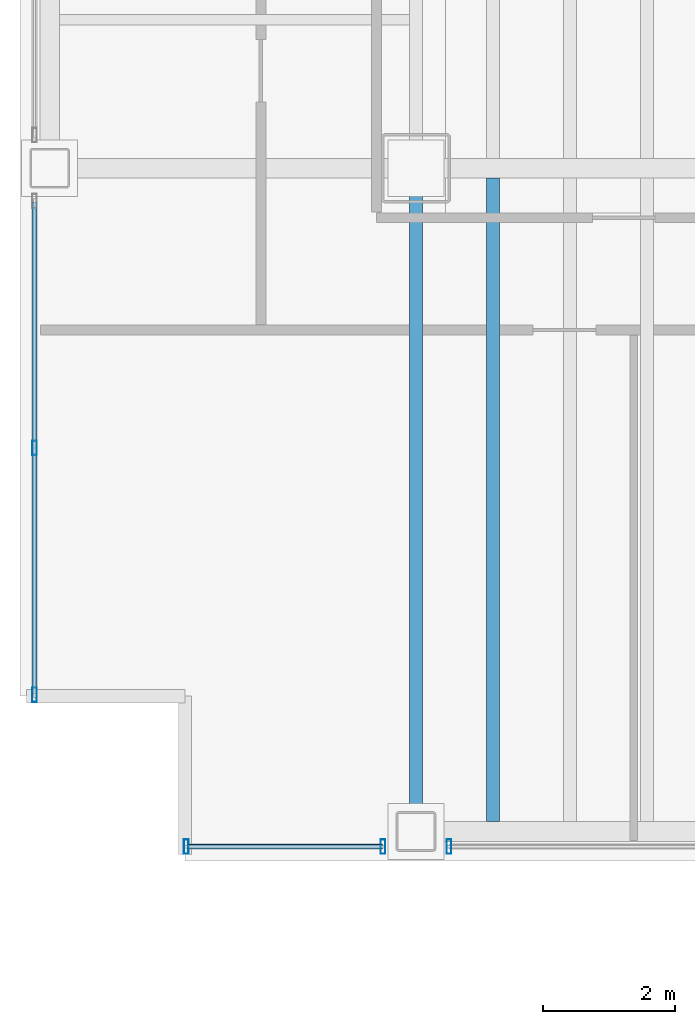
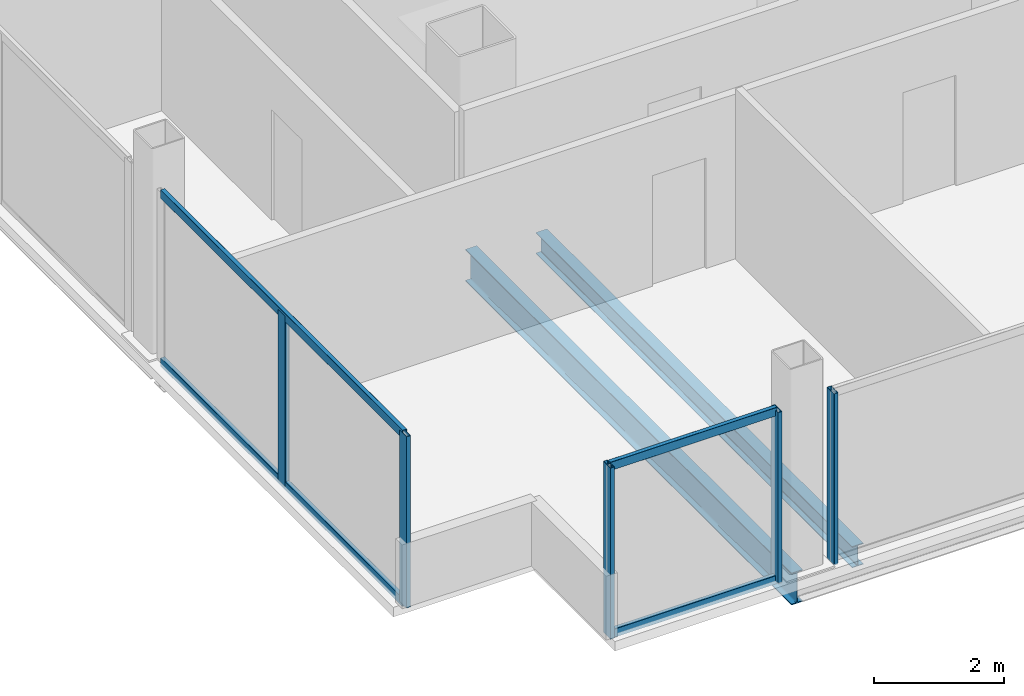
# One storey, part 2 of 22: 9 members, 2 beams, 3 elements without a shape of their own.
"""IFC4 building model written with IfcOpenShell, lengths in metres."""

from ifc_helpers import new_model, si_unit, direction, frame, origin, origin_2d, place, context, subcontext, project, spatial, hollow_rectangle, i_section, extrude, material, material_profile, profile_set, type_object, element, aggregate, save


model = new_model("IFC4")

# Units and contexts
model_context = context("Model", 3, precision=1e-05, world=origin(), true_north=direction((0.0, 1.0)))
body_context = subcontext(model_context, "Body", "Model", "MODEL_VIEW")
ifc_project = project(units=[si_unit("LENGTHUNIT", "METRE"), si_unit("AREAUNIT", "SQUARE_METRE"), si_unit("VOLUMEUNIT", "CUBIC_METRE"), si_unit("PLANEANGLEUNIT", "RADIAN"), si_unit("MASSUNIT", "GRAM", prefix="KILO")], contexts=[model_context])

# Site, building, storey
site_placement = place(None, origin())
site = spatial("IfcSite", under=ifc_project, at=site_placement, CompositionType="ELEMENT")
building_placement = place(site_placement, origin())
building = spatial("IfcBuilding", under=site, at=building_placement, Name="Noeulbin Bourse Tower", CompositionType="ELEMENT")
storey_placement = place(building_placement, frame((0.0, 0.0, 85.0)))
storey = spatial("IfcBuildingStorey", under=building, at=storey_placement, Name="L21", CompositionType="ELEMENT", Elevation=85.0)

# Beams
ifc_material_1 = material(Name="Steel S355", Category="steel")
ifc_material_profile_1 = material_profile(ifc_material_1, i_section(OverallWidth=0.199951171875, OverallDepth=0.60009765625, WebThickness=0.010986328125, FlangeThickness=0.01708984375, FilletRadius=0.02197265625, at=origin_2d()), Name="H-600x200x11x17", Category="LoadBearing")
ifc_profile_set_1 = profile_set([ifc_material_profile_1], Name="Steel S355")
beam_type_1 = type_object("IfcBeamType", Name="BM-GRD-600", PredefinedType="USERDEFINED", material=ifc_profile_set_1)
beam_1_placement = place(storey_placement, frame((13.5, 9.949951171875, -0.47998046875), z_axis=(0.0, 1.0, 0.0), x_axis=(-1.0, 0.0, 0.0)))
element("IfcBeam", 1, at=beam_1_placement, inside=storey, type_object=beam_type_1, Name="Tower Primary Girder NS L21-1.1", ObjectType="GIRDER", PredefinedType="USERDEFINED", context=body_context, shape_type="SweptSolid", body=[
    extrude(i_section(OverallWidth=0.199951171875, OverallDepth=0.60009765625, WebThickness=0.010986328125, FlangeThickness=0.01708984375, FilletRadius=0.02197265625, at=origin_2d()), origin(), (0.0, 0.0, 1.0), 10.050048828125),
])
ifc_material_profile_2 = material_profile(ifc_material_1, i_section(OverallWidth=0.199951171875, OverallDepth=0.39990234375, WebThickness=0.008056640625, FlangeThickness=0.012939453125, FilletRadius=0.01611328125, at=origin_2d()), Name="H-400x200x8x13", Category="LoadBearing")
ifc_profile_set_2 = profile_set([ifc_material_profile_2], Name="Steel S355")
beam_type_2 = type_object("IfcBeamType", Name="BM-SEC-400", PredefinedType="BEAM", material=ifc_profile_set_2)
beam_2_placement = place(storey_placement, frame((14.666748046875, 10.10009765625, -0.3798828125), z_axis=(0.0, 1.0, 0.0), x_axis=(-1.0, 0.0, 0.0)))
element("IfcBeam", 2, at=beam_2_placement, inside=storey, type_object=beam_type_2, Name="Tower Composite Joist L21-01", PredefinedType="BEAM", context=body_context, shape_type="SweptSolid", body=[
    extrude(i_section(OverallWidth=0.199951171875, OverallDepth=0.39990234375, WebThickness=0.008056640625, FlangeThickness=0.012939453125, FilletRadius=0.01611328125, at=origin_2d()), origin(), (0.0, 0.0, 1.0), 9.75),
])

# Curtain wall, members
ifc_material_2 = material(Name="Dark Solar-Control Double Glazing", Category="glass")
curtain_wall_type = type_object("IfcCurtainWallType", Name="CW-SYS-2", PredefinedType="NOTDEFINED", material=ifc_material_2)
curtain_wall_1_placement = place(storey_placement, origin())
curtain_wall_1 = element("IfcCurtainWall", 3, at=curtain_wall_1_placement, inside=storey, type_object=curtain_wall_type, Name="Unitised Curtain Wall CW-L21-S1-S1", PredefinedType="NOTDEFINED")
ifc_material_3 = material(Name="Anodised Aluminium 6063-T6", Category="aluminium")
ifc_material_profile_3 = material_profile(ifc_material_3, hollow_rectangle(XDim=0.074951171875, YDim=0.219970703125, WallThickness=0.0048828125, InnerFilletRadius=0.00244140625, OuterFilletRadius=0.0048828125, at=origin_2d()), Name="ALU-MULL-75x220x5", Category="LoadBearing")
ifc_profile_set_3 = profile_set([ifc_material_profile_3], Name="Anodised Aluminium 6063-T6")
member_type_1 = type_object("IfcMemberType", Name="CW-SYS-2-MUL", PredefinedType="MULLION", material=ifc_profile_set_3)
member_1_placement = place(storey_placement, frame((10.02001953125, 9.719970703125, -0.02001953125), z_axis=(0.0, 0.0, 1.0), x_axis=(1.0, 0.0, 0.0)))
member_1 = element("IfcMember", 4, at=member_1_placement, type_object=member_type_1, Name="Curtain Wall Mullion CW-L21-S1-S1-M00", PredefinedType="MULLION", context=body_context, shape_type="SweptSolid", body=[
    extrude(hollow_rectangle(XDim=0.074951171875, YDim=0.219970703125, WallThickness=0.0048828125, InnerFilletRadius=0.00244140625, OuterFilletRadius=0.0048828125, at=origin_2d()), origin(), (0.0, 0.0, 1.0), 3.219970703125),
])
member_2_placement = place(storey_placement, frame((13.0, 9.719970703125, -0.02001953125), z_axis=(0.0, 0.0, 1.0), x_axis=(1.0, 0.0, 0.0)))
member_2 = element("IfcMember", 5, at=member_2_placement, type_object=member_type_1, Name="Curtain Wall Mullion CW-L21-S1-S1-M01", PredefinedType="MULLION", context=body_context, shape_type="SweptSolid", body=[
    extrude(hollow_rectangle(XDim=0.074951171875, YDim=0.219970703125, WallThickness=0.0048828125, InnerFilletRadius=0.00244140625, OuterFilletRadius=0.0048828125, at=origin_2d()), origin(), (0.0, 0.0, 1.0), 3.219970703125),
])

# Curtain wall, member
curtain_wall_2_placement = place(storey_placement, origin())
curtain_wall_2 = element("IfcCurtainWall", 6, at=curtain_wall_2_placement, inside=storey, type_object=curtain_wall_type, Name="Unitised Curtain Wall CW-L21-S1-S2", PredefinedType="NOTDEFINED")
member_3_placement = place(storey_placement, frame((14.0, 9.719970703125, -0.02001953125), z_axis=(0.0, 0.0, 1.0), x_axis=(1.0, 0.0, 0.0)))
member_3 = element("IfcMember", 7, at=member_3_placement, type_object=member_type_1, Name="Curtain Wall Mullion CW-L21-S1-S2-M00", PredefinedType="MULLION", context=body_context, shape_type="SweptSolid", body=[
    extrude(hollow_rectangle(XDim=0.074951171875, YDim=0.219970703125, WallThickness=0.0048828125, InnerFilletRadius=0.00244140625, OuterFilletRadius=0.0048828125, at=origin_2d()), origin(), (0.0, 0.0, 1.0), 3.219970703125),
])
aggregate(curtain_wall_2, [member_3])

# Curtain wall, members
curtain_wall_3_placement = place(storey_placement, origin())
curtain_wall_3 = element("IfcCurtainWall", 8, at=curtain_wall_3_placement, inside=storey, type_object=curtain_wall_type, Name="Unitised Curtain Wall CW-L21-W-S1", PredefinedType="NOTDEFINED")
member_4_placement = place(storey_placement, frame((7.719970703125, 12.02001953125, -0.02001953125), z_axis=(0.0, 0.0, 1.0), x_axis=(1.0, 0.0, 0.0)))
member_4 = element("IfcMember", 9, at=member_4_placement, type_object=member_type_1, Name="Curtain Wall Mullion CW-L21-W-S1-M00", PredefinedType="MULLION", context=body_context, shape_type="SweptSolid", body=[
    extrude(hollow_rectangle(XDim=0.074951171875, YDim=0.219970703125, WallThickness=0.0048828125, InnerFilletRadius=0.00244140625, OuterFilletRadius=0.0048828125, at=origin_2d()), origin(), (0.0, 0.0, 1.0), 3.219970703125),
])
member_5_placement = place(storey_placement, frame((7.719970703125, 15.760009765625, -0.02001953125), z_axis=(0.0, 0.0, 1.0), x_axis=(1.0, 0.0, 0.0)))
member_5 = element("IfcMember", 10, at=member_5_placement, type_object=member_type_1, Name="Curtain Wall Mullion CW-L21-W-S1-M01", PredefinedType="MULLION", context=body_context, shape_type="SweptSolid", body=[
    extrude(hollow_rectangle(XDim=0.074951171875, YDim=0.219970703125, WallThickness=0.0048828125, InnerFilletRadius=0.00244140625, OuterFilletRadius=0.0048828125, at=origin_2d()), origin(), (0.0, 0.0, 1.0), 3.219970703125),
])

# Member
ifc_material_profile_4 = material_profile(ifc_material_3, hollow_rectangle(XDim=0.074951171875, YDim=0.159912109375, WallThickness=0.0048828125, InnerFilletRadius=0.00244140625, OuterFilletRadius=0.0048828125, at=origin_2d()), Name="ALU-TRAN-75x160x5", Category="LoadBearing")
ifc_profile_set_4 = profile_set([ifc_material_profile_4], Name="Anodised Aluminium 6063-T6")
member_type_2 = type_object("IfcMemberType", Name="CW-SYS-2-TRN", PredefinedType="USERDEFINED", material=ifc_profile_set_4)
member_6_placement = place(storey_placement, frame((10.030029296875, 9.719970703125, 0.010009765625), z_axis=(1.0, 0.0, 0.0), x_axis=(0.0, 1.0, 0.0)))
member_6 = element("IfcMember", 11, at=member_6_placement, type_object=member_type_2, Name="Curtain Wall Transom CW-L21-S1-S1-T00", ObjectType="TRANSOM", PredefinedType="USERDEFINED", context=body_context, shape_type="SweptSolid", body=[
    extrude(hollow_rectangle(XDim=0.074951171875, YDim=0.159912109375, WallThickness=0.0048828125, InnerFilletRadius=0.00244140625, OuterFilletRadius=0.0048828125, at=origin_2d()), origin(), (0.0, 0.0, 1.0), 2.9599609375),
])

member_7_placement = place(storey_placement, frame((10.030029296875, 9.719970703125, 3.169921875), z_axis=(1.0, 0.0, 0.0), x_axis=(0.0, 1.0, 0.0)))
member_7 = element("IfcMember", 12, at=member_7_placement, type_object=member_type_2, Name="Curtain Wall Transom CW-L21-S1-S1-T01", ObjectType="TRANSOM", PredefinedType="USERDEFINED", context=body_context, shape_type="SweptSolid", body=[
    extrude(hollow_rectangle(XDim=0.074951171875, YDim=0.159912109375, WallThickness=0.0048828125, InnerFilletRadius=0.00244140625, OuterFilletRadius=0.0048828125, at=origin_2d()), origin(), (0.0, 0.0, 1.0), 2.9599609375),
])

aggregate(curtain_wall_1, [member_1, member_2, member_6, member_7])

member_8_placement = place(storey_placement, frame((7.719970703125, 12.030029296875, 0.010009765625), z_axis=(0.0, 1.0, 0.0), x_axis=(-1.0, 0.0, 0.0)))
member_8 = element("IfcMember", 13, at=member_8_placement, type_object=member_type_2, Name="Curtain Wall Transom CW-L21-W-S1-T00", ObjectType="TRANSOM", PredefinedType="USERDEFINED", context=body_context, shape_type="SweptSolid", body=[
    extrude(hollow_rectangle(XDim=0.074951171875, YDim=0.159912109375, WallThickness=0.0048828125, InnerFilletRadius=0.00244140625, OuterFilletRadius=0.0048828125, at=origin_2d()), origin(), (0.0, 0.0, 1.0), 7.4599609375),
])

member_9_placement = place(storey_placement, frame((7.719970703125, 12.030029296875, 3.169921875), z_axis=(0.0, 1.0, 0.0), x_axis=(-1.0, 0.0, 0.0)))
member_9 = element("IfcMember", 14, at=member_9_placement, type_object=member_type_2, Name="Curtain Wall Transom CW-L21-W-S1-T01", ObjectType="TRANSOM", PredefinedType="USERDEFINED", context=body_context, shape_type="SweptSolid", body=[
    extrude(hollow_rectangle(XDim=0.074951171875, YDim=0.159912109375, WallThickness=0.0048828125, InnerFilletRadius=0.00244140625, OuterFilletRadius=0.0048828125, at=origin_2d()), origin(), (0.0, 0.0, 1.0), 7.4599609375),
])

aggregate(curtain_wall_3, [member_4, member_5, member_8, member_9])

save(model, "model.ifc")
